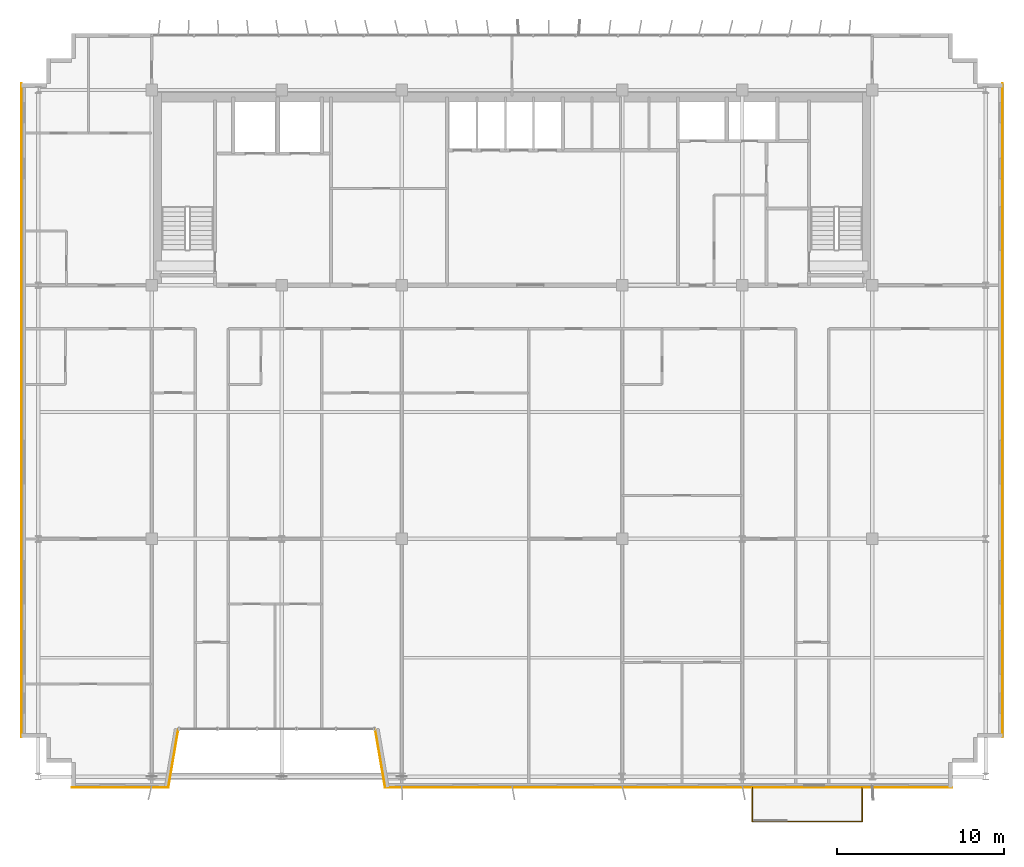
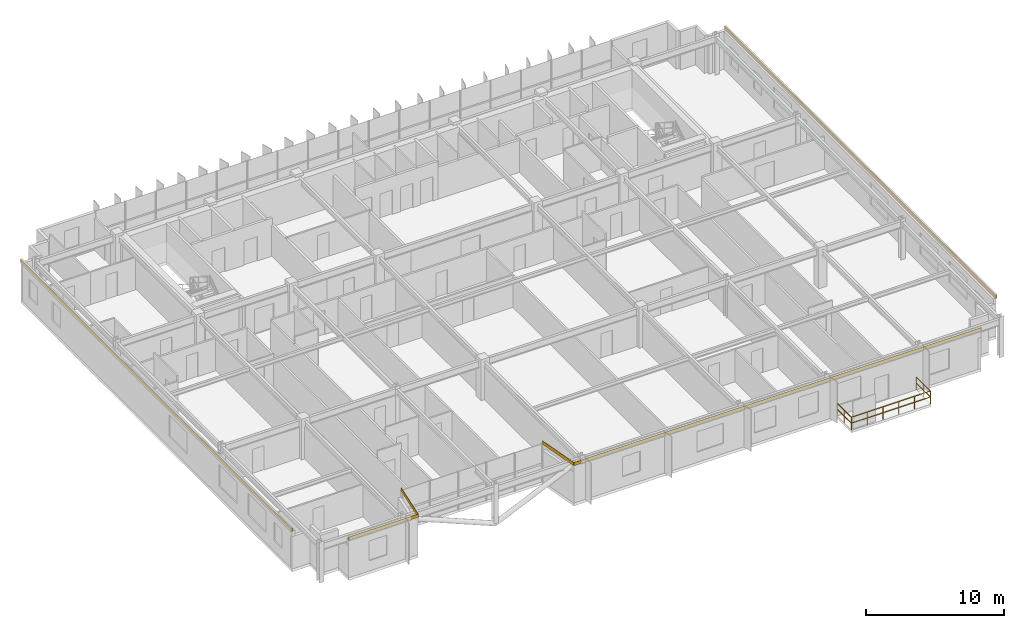
# One storey, part 23 of 24: 6 coverings, 3 railings.
"""IFC4 building model written with IfcOpenShell, lengths in metres."""

from ifc_helpers import new_model, si_unit, direction, frame, origin, origin_2d, place, context, subcontext, project, spatial, rectangle, extrude, source, transform, mapped, material, layer, layer_set, type_object, element, save


model = new_model("IFC4")

# Units and contexts
model_context = context("Model", 3, precision=1e-05, world=origin(), true_north=direction((0.0, 1.0)))
body_context = subcontext(model_context, "Body", "Model", "MODEL_VIEW")
ifc_project = project(units=[si_unit("LENGTHUNIT", "METRE"), si_unit("AREAUNIT", "SQUARE_METRE"), si_unit("VOLUMEUNIT", "CUBIC_METRE"), si_unit("PLANEANGLEUNIT", "RADIAN"), si_unit("MASSUNIT", "GRAM", prefix="KILO")], contexts=[model_context])

# Site, building, storey
site_placement = place(None, origin())
site = spatial("IfcSite", under=ifc_project, at=site_placement, CompositionType="ELEMENT")
building_placement = place(site_placement, origin())
building = spatial("IfcBuilding", under=site, at=building_placement, Name="Trelvane Seafront Commons", CompositionType="ELEMENT")
storey_placement = place(building_placement, frame((0.0, 0.0, 175.300048828125)))
storey = spatial("IfcBuildingStorey", under=building, at=storey_placement, Name="L46", CompositionType="ELEMENT", Elevation=175.300048828125)

# Railings
ifc_material_1 = material(Name="Stainless steel balustrade", Category="steel")
railing_type = type_object("IfcRailingType", Name="ARCH-RAIL-BAL1150", PredefinedType="BALUSTRADE", material=ifc_material_1)
railing_1_placement = place(storey_placement, frame((51.60009765625, 3.300048828125, 0.0)))
element("IfcRailing", 1, at=railing_1_placement, inside=storey, type_object=railing_type, Name="RL-L46-BAL0-01", PredefinedType="BALUSTRADE", context=body_context, shape_type="SweptSolid", body=[
    extrude(rectangle(XDim=0.048095703125, YDim=0.048095703125, at=origin_2d()), frame((0.0, 0.0, 1.1259765625), z_axis=(0.0, -1.0, 0.0), x_axis=(1.0, 0.0, 0.0)), (0.0, 0.0, 1.0), 2.0400390625),
    extrude(rectangle(XDim=0.048095703125, YDim=0.048095703125, at=origin_2d()), frame((0.0, 0.0, 0.597900390625), z_axis=(0.0, -1.0, 0.0), x_axis=(1.0, 0.0, 0.0)), (0.0, 0.0, 1.0), 2.0400390625),
    extrude(rectangle(XDim=0.0419921875, YDim=0.0419921875, at=origin_2d()), origin(), (0.0, 0.0, 1.0), 1.1259765625),
    extrude(rectangle(XDim=0.0419921875, YDim=0.0419921875, at=origin_2d()), frame((0.0, -1.02001953125, 0.0)), (0.0, 0.0, 1.0), 1.1259765625),
    extrude(rectangle(XDim=0.0419921875, YDim=0.0419921875, at=origin_2d()), frame((0.0, -2.0400390625, 0.0)), (0.0, 0.0, 1.0), 1.1259765625),
])
railing_2_placement = place(storey_placement, frame((51.60009765625, 1.260009765625, 0.0)))
element("IfcRailing", 2, at=railing_2_placement, inside=storey, type_object=railing_type, Name="RL-L46-BAL0-02", PredefinedType="BALUSTRADE", context=body_context, shape_type="SweptSolid", body=[
    extrude(rectangle(XDim=0.048095703125, YDim=0.048095703125, at=origin_2d()), frame((0.0, 0.0, 1.1259765625), z_axis=(1.0, 0.0, 0.0), x_axis=(0.0, 1.0, 0.0)), (0.0, 0.0, 1.0), 6.599853515625),
    extrude(rectangle(XDim=0.048095703125, YDim=0.048095703125, at=origin_2d()), frame((0.0, 0.0, 0.597900390625), z_axis=(1.0, 0.0, 0.0), x_axis=(0.0, 1.0, 0.0)), (0.0, 0.0, 1.0), 6.599853515625),
    extrude(rectangle(XDim=0.0419921875, YDim=0.0419921875, at=origin_2d()), origin(), (0.0, 0.0, 1.0), 1.1259765625),
    extrude(rectangle(XDim=0.0419921875, YDim=0.0419921875, at=origin_2d()), frame((1.320068359375, 0.0, 0.0)), (0.0, 0.0, 1.0), 1.1259765625),
    extrude(rectangle(XDim=0.0419921875, YDim=0.0419921875, at=origin_2d()), frame((2.639892578125, 0.0, 0.0)), (0.0, 0.0, 1.0), 1.1259765625),
    extrude(rectangle(XDim=0.0419921875, YDim=0.0419921875, at=origin_2d()), frame((3.9599609375, 0.0, 0.0)), (0.0, 0.0, 1.0), 1.1259765625),
    extrude(rectangle(XDim=0.0419921875, YDim=0.0419921875, at=origin_2d()), frame((5.27978515625, 0.0, 0.0)), (0.0, 0.0, 1.0), 1.1259765625),
    extrude(rectangle(XDim=0.0419921875, YDim=0.0419921875, at=origin_2d()), frame((6.599853515625, 0.0, 0.0)), (0.0, 0.0, 1.0), 1.1259765625),
])
railing_3_placement = place(storey_placement, frame((58.199951171875, 1.260009765625, 0.0)))
element("IfcRailing", 3, at=railing_3_placement, inside=storey, type_object=railing_type, Name="RL-L46-BAL0-03", PredefinedType="BALUSTRADE", context=body_context, shape_type="SweptSolid", body=[
    extrude(rectangle(XDim=0.048095703125, YDim=0.048095703125, at=origin_2d()), frame((0.0, 0.0, 1.1259765625), z_axis=(0.0, 1.0, 0.0), x_axis=(-1.0, 0.0, 0.0)), (0.0, 0.0, 1.0), 2.0400390625),
    extrude(rectangle(XDim=0.048095703125, YDim=0.048095703125, at=origin_2d()), frame((0.0, 0.0, 0.597900390625), z_axis=(0.0, 1.0, 0.0), x_axis=(-1.0, 0.0, 0.0)), (0.0, 0.0, 1.0), 2.0400390625),
    extrude(rectangle(XDim=0.0419921875, YDim=0.0419921875, at=origin_2d()), origin(), (0.0, 0.0, 1.0), 1.1259765625),
    extrude(rectangle(XDim=0.0419921875, YDim=0.0419921875, at=origin_2d()), frame((0.0, 1.02001953125, 0.0)), (0.0, 0.0, 1.0), 1.1259765625),
    extrude(rectangle(XDim=0.0419921875, YDim=0.0419921875, at=origin_2d()), frame((0.0, 2.0400390625, 0.0)), (0.0, 0.0, 1.0), 1.1259765625),
])

# Coverings
ifc_material_2 = material(Name="Anodised pale-silver aluminium", Category="aluminium")
ifc_layer = layer(ifc_material_2, 0.034912109375, Name="ARCH-COV-CLAD35")
ifc_layer_set = layer_set([ifc_layer], Name="Anodised pale-silver aluminium")
covering_type = type_object("IfcCoveringType", Name="ARCH-COV-CLAD35", PredefinedType="CLADDING", material=ifc_layer_set)
shared_shape_1 = source(origin(), body_context, "Body", "SweptSolid", [
    extrude(rectangle(XDim=39.199951171875, YDim=0.034912109375, at=origin_2d()), origin(), (0.0, 0.0, 1.0), 0.2900390625),
])
for number, where, z_axis, x_axis, name in (
    (4, (7.800048828125, 25.89990234375, 3.309814453125), (0.0, 0.0, 1.0), (0.0, 1.0, 0.0), "CLD-L46-00183"),
    (5, (66.60009765625, 25.89990234375, 3.309814453125), (0.0, 0.0, 1.0), (0.0, -1.0, 0.0), "CLD-L46-00184"),
):
    element("IfcCovering", number, at=place(storey_placement, frame(where, z_axis=z_axis, x_axis=x_axis)), inside=storey, type_object=covering_type, Name=name, PredefinedType="CLADDING", context=body_context, shape_type="MappedRepresentation", body=[
        mapped(shared_shape_1, transform((0.0, 0.0, 0.0), x_axis=(1.0, 0.0, 0.0), y_axis=(0.0, 1.0, 0.0), z_axis=(0.0, 0.0, 1.0), scale=1.0)),
    ])
shared_shape_2 = source(origin(), body_context, "Body", "SweptSolid", [
    extrude(rectangle(XDim=34.0, YDim=0.034912109375, at=origin_2d()), origin(), (0.0, 0.0, 1.0), 0.2900390625),
])
covering_1_placement = place(storey_placement, frame((46.60009765625, 3.300048828125, 3.309814453125), z_axis=(0.0, 0.0, 1.0), x_axis=(-1.0, 0.0, 0.0)))
element("IfcCovering", 6, at=covering_1_placement, inside=storey, type_object=covering_type, Name="CLD-L46-00185", PredefinedType="CLADDING", context=body_context, shape_type="MappedRepresentation", body=[
    mapped(shared_shape_2, transform((0.0, 0.0, 0.0), x_axis=(1.0, 0.0, 0.0), y_axis=(0.0, 1.0, 0.0), z_axis=(0.0, 0.0, 1.0), scale=1.0)),
])
shared_shape_3 = source(origin(), body_context, "Body", "SweptSolid", [
    extrude(rectangle(XDim=3.551025390625, YDim=0.034912109375, at=origin_2d()), origin(), (0.0, 0.0, 1.0), 0.2900390625),
])
for number, where, z_axis, x_axis, name in (
    (7, (29.300048828125, 5.050048828125, 3.309814453125), (0.0, 0.0, 1.0), (-0.168964184077, 0.985622191562, 0.0), "CLD-L46-00186"),
    (8, (16.89990234375, 5.050048828125, 3.309814453125), (0.0, 0.0, 1.0), (-0.168964184077, -0.985622191562, 0.0), "CLD-L46-00187"),
):
    element("IfcCovering", number, at=place(storey_placement, frame(where, z_axis=z_axis, x_axis=x_axis)), inside=storey, type_object=covering_type, Name=name, PredefinedType="CLADDING", context=body_context, shape_type="MappedRepresentation", body=[
        mapped(shared_shape_3, transform((0.0, 0.0, 0.0), x_axis=(1.0, 0.0, 0.0), y_axis=(0.0, 1.0, 0.0), z_axis=(0.0, 0.0, 1.0), scale=1.0)),
    ])
shared_shape_4 = source(origin(), body_context, "Body", "SweptSolid", [
    extrude(rectangle(XDim=5.800048828125, YDim=0.034912109375, at=origin_2d()), origin(), (0.0, 0.0, 1.0), 0.2900390625),
])
covering_2_placement = place(storey_placement, frame((13.699951171875, 3.300048828125, 3.309814453125), z_axis=(0.0, 0.0, 1.0), x_axis=(-1.0, 0.0, 0.0)))
element("IfcCovering", 9, at=covering_2_placement, inside=storey, type_object=covering_type, Name="CLD-L46-00188", PredefinedType="CLADDING", context=body_context, shape_type="MappedRepresentation", body=[
    mapped(shared_shape_4, transform((0.0, 0.0, 0.0), x_axis=(1.0, 0.0, 0.0), y_axis=(0.0, 1.0, 0.0), z_axis=(0.0, 0.0, 1.0), scale=1.0)),
])

save(model, "model.ifc")
